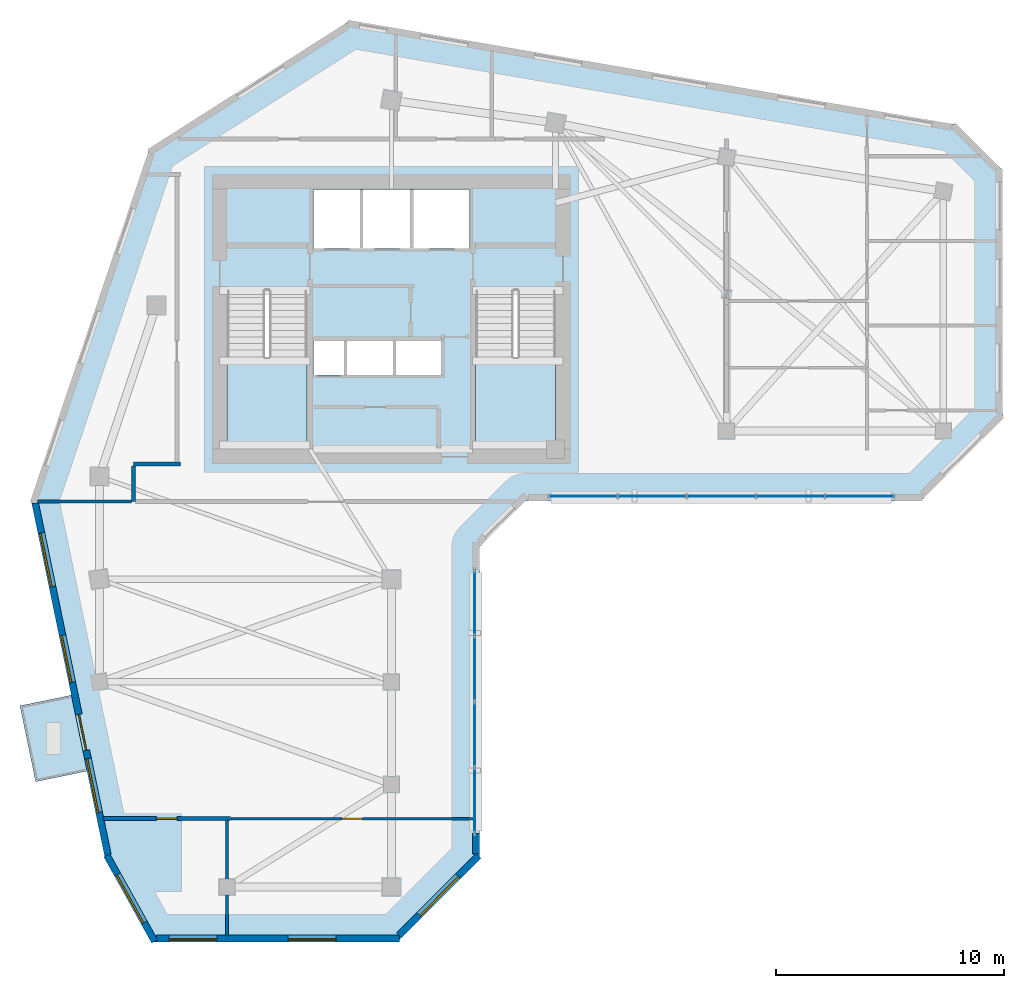
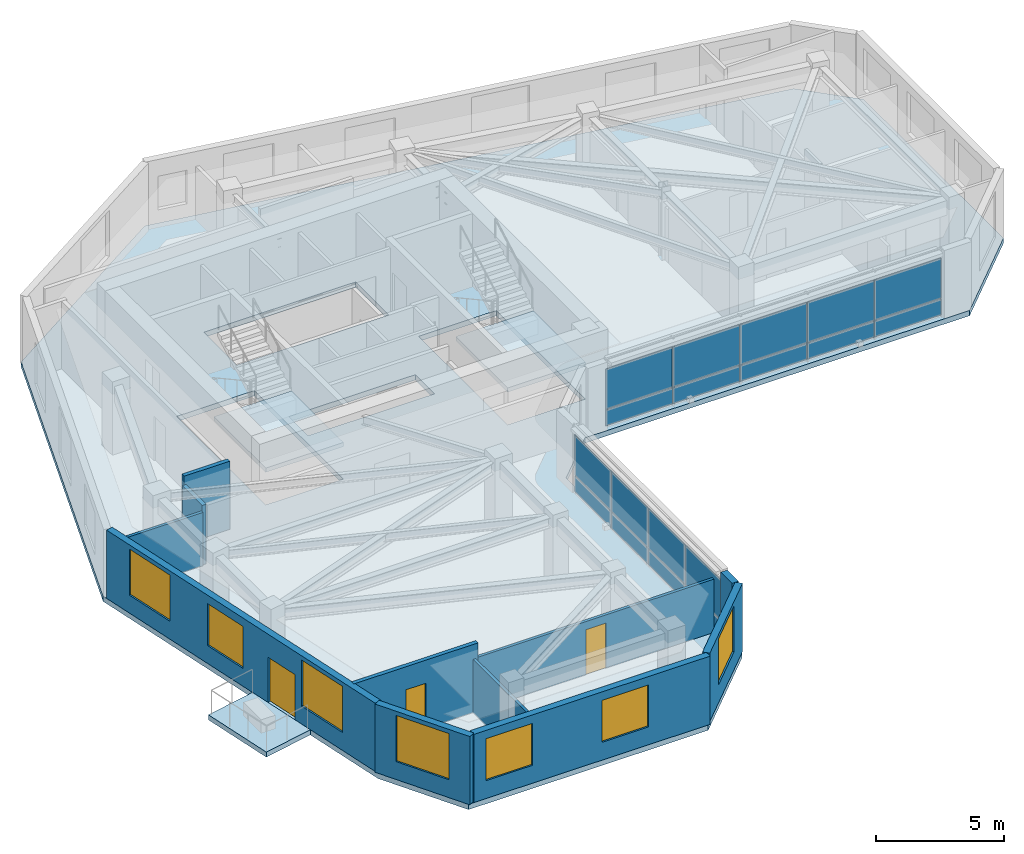
# One storey, part 4 of 10: 18 plates, 11 walls, 7 windows, 4 slabs, 3 doors, 10 openings, 4 elements without a shape of their own.
"""IFC4 building model written with IfcOpenShell, lengths in metres."""

from ifc_helpers import new_model, si_unit, direction, frame, frame_2d, origin, place, context, subcontext, project, spatial, polyline, rectangle, outline, extrude, source, transform, mapped, material, layer, layer_set, type_object, element, fill, aggregate, save


model = new_model("IFC4")

# Units and contexts
model_context = context("Model", 3, precision=1e-05, world=origin(), true_north=direction((0.0, 1.0)))
body_context = subcontext(model_context, "Body", "Model", "MODEL_VIEW")
ifc_project = project(units=[si_unit("LENGTHUNIT", "METRE"), si_unit("AREAUNIT", "SQUARE_METRE"), si_unit("VOLUMEUNIT", "CUBIC_METRE"), si_unit("PLANEANGLEUNIT", "RADIAN"), si_unit("MASSUNIT", "GRAM", prefix="KILO")], contexts=[model_context])

# Site, building, storey
site_placement = place(None, origin())
site = spatial("IfcSite", under=ifc_project, at=site_placement, CompositionType="ELEMENT")
building_placement = place(site_placement, origin())
building = spatial("IfcBuilding", under=site, at=building_placement, Name="Calvemar Wedge Station Tower", CompositionType="ELEMENT")
storey_placement = place(building_placement, frame((0.0, 0.0, 204.39990234375)))
storey = spatial("IfcBuildingStorey", under=building, at=storey_placement, Name="L51", CompositionType="ELEMENT", Elevation=204.39990234375)

# Curtain wall, plates
ifc_material_1 = material(Name="Anodised aluminium 6063-T6", Category="aluminium")
curtain_wall_type = type_object("IfcCurtainWallType", Name="CW3", PredefinedType="NOTDEFINED", material=ifc_material_1)
curtain_wall_1_placement = place(storey_placement, origin())
curtain_wall_1 = element("IfcCurtainWall", 1, at=curtain_wall_1_placement, inside=storey, type_object=curtain_wall_type, Name="Storey L51 CW3 Recessed Unitised Curtain Wall 4", PredefinedType="NOTDEFINED")
ifc_material_2 = material(Name="Low-E laminated insulated glass", Category="glass")
ifc_layer_1 = layer(ifc_material_2, 0.028076171875)
ifc_layer_set_1 = layer_set([ifc_layer_1], Name="Low-E laminated insulated glass")
plate_type_1 = type_object("IfcPlateType", Name="CW3-GLZ", PredefinedType="CURTAIN_PANEL", material=ifc_layer_set_1)
plate_1_placement = place(storey_placement, frame((27.4541015625, 17.380126953125, 0.8701171875), z_axis=(0.0, 0.0, 1.0), x_axis=(0.0, 1.0, 0.0)))
plate_1 = element("IfcPlate", 2, at=plate_1_placement, type_object=plate_type_1, Name="CW3 vision glass panel 1", PredefinedType="CURTAIN_PANEL", context=body_context, shape_type="SweptSolid", body=[
    extrude(rectangle(XDim=2.844970703125, YDim=0.028076171875, at=frame_2d((1.42236328125, 0.0))), origin(), (0.0, 0.0, 1.0), 1.909912109375),
])
plate_2_placement = place(storey_placement, frame((27.4541015625, 20.260986328125, 0.8701171875), z_axis=(0.0, 0.0, 1.0), x_axis=(0.0, 1.0, 0.0)))
plate_2 = element("IfcPlate", 3, at=plate_2_placement, type_object=plate_type_1, Name="CW3 vision glass panel 2", PredefinedType="CURTAIN_PANEL", context=body_context, shape_type="SweptSolid", body=[
    extrude(rectangle(XDim=2.84521484375, YDim=0.028076171875, at=frame_2d((1.422607421875, 0.0))), origin(), (0.0, 0.0, 1.0), 1.909912109375),
])
plate_3_placement = place(storey_placement, frame((27.4541015625, 23.14208984375, 0.8701171875), z_axis=(0.0, 0.0, 1.0), x_axis=(0.0, 1.0, 0.0)))
plate_3 = element("IfcPlate", 4, at=plate_3_placement, type_object=plate_type_1, Name="CW3 vision glass panel 3", PredefinedType="CURTAIN_PANEL", context=body_context, shape_type="SweptSolid", body=[
    extrude(rectangle(XDim=2.844970703125, YDim=0.028076171875, at=frame_2d((1.42236328125, 0.0))), origin(), (0.0, 0.0, 1.0), 1.909912109375),
])
plate_4_placement = place(storey_placement, frame((27.4541015625, 26.023193359375, 0.8701171875), z_axis=(0.0, 0.0, 1.0), x_axis=(0.0, 1.0, 0.0)))
plate_4 = element("IfcPlate", 5, at=plate_4_placement, type_object=plate_type_1, Name="CW3 vision glass panel 4", PredefinedType="CURTAIN_PANEL", context=body_context, shape_type="SweptSolid", body=[
    extrude(rectangle(XDim=2.844970703125, YDim=0.028076171875, at=frame_2d((1.42236328125, 0.0))), origin(), (0.0, 0.0, 1.0), 1.909912109375),
])

curtain_wall_2_placement = place(storey_placement, origin())
curtain_wall_2 = element("IfcCurtainWall", 6, at=curtain_wall_2_placement, inside=storey, type_object=curtain_wall_type, Name="Storey L51 CW3 Recessed Unitised Curtain Wall 6", PredefinedType="NOTDEFINED")
plate_5_placement = place(storey_placement, frame((30.719970703125, 32.134033203125, 0.8701171875), z_axis=(0.0, 0.0, 1.0), x_axis=(1.0, 0.0, 0.0)))
plate_5 = element("IfcPlate", 7, at=plate_5_placement, type_object=plate_type_1, Name="CW3 vision glass panel 1", PredefinedType="CURTAIN_PANEL", context=body_context, shape_type="SweptSolid", body=[
    extrude(rectangle(XDim=2.9912109375, YDim=0.028076171875, at=frame_2d((1.49560546875, 0.0))), origin(), (0.0, 0.0, 1.0), 1.909912109375),
])
plate_6_placement = place(storey_placement, frame((33.7470703125, 32.134033203125, 0.8701171875), z_axis=(0.0, 0.0, 1.0), x_axis=(1.0, 0.0, 0.0)))
plate_6 = element("IfcPlate", 8, at=plate_6_placement, type_object=plate_type_1, Name="CW3 vision glass panel 2", PredefinedType="CURTAIN_PANEL", context=body_context, shape_type="SweptSolid", body=[
    extrude(rectangle(XDim=2.9912109375, YDim=0.028076171875, at=frame_2d((1.49560546875, 0.0))), origin(), (0.0, 0.0, 1.0), 1.909912109375),
])
plate_7_placement = place(storey_placement, frame((36.7744140625, 32.134033203125, 0.8701171875), z_axis=(0.0, 0.0, 1.0), x_axis=(1.0, 0.0, 0.0)))
plate_7 = element("IfcPlate", 9, at=plate_7_placement, type_object=plate_type_1, Name="CW3 vision glass panel 3", PredefinedType="CURTAIN_PANEL", context=body_context, shape_type="SweptSolid", body=[
    extrude(rectangle(XDim=2.990966796875, YDim=0.028076171875, at=frame_2d((1.49560546875, 0.0))), origin(), (0.0, 0.0, 1.0), 1.909912109375),
])
plate_8_placement = place(storey_placement, frame((39.801513671875, 32.134033203125, 0.8701171875), z_axis=(0.0, 0.0, 1.0), x_axis=(1.0, 0.0, 0.0)))
plate_8 = element("IfcPlate", 10, at=plate_8_placement, type_object=plate_type_1, Name="CW3 vision glass panel 4", PredefinedType="CURTAIN_PANEL", context=body_context, shape_type="SweptSolid", body=[
    extrude(rectangle(XDim=2.9912109375, YDim=0.028076171875, at=frame_2d((1.49560546875, 0.0))), origin(), (0.0, 0.0, 1.0), 1.909912109375),
])
plate_9_placement = place(storey_placement, frame((42.82861328125, 32.134033203125, 0.8701171875), z_axis=(0.0, 0.0, 1.0), x_axis=(1.0, 0.0, 0.0)))
plate_9 = element("IfcPlate", 11, at=plate_9_placement, type_object=plate_type_1, Name="CW3 vision glass panel 5", PredefinedType="CURTAIN_PANEL", context=body_context, shape_type="SweptSolid", body=[
    extrude(rectangle(XDim=2.9912109375, YDim=0.028076171875, at=frame_2d((1.49560546875, 0.0))), origin(), (0.0, 0.0, 1.0), 1.909912109375),
])

# Plate
ifc_material_3 = material(Name="Oxidized bronze aluminium spandrel panel 5005-H24", Category="aluminium")
ifc_layer_2 = layer(ifc_material_3, 0.0400390625)
ifc_layer_set_2 = layer_set([ifc_layer_2], Name="Oxidized bronze aluminium spandrel panel 5005-H24")
plate_type_2 = type_object("IfcPlateType", Name="CW3-SPD", PredefinedType="SHEET", material=ifc_layer_set_2)
plate_10_placement = place(storey_placement, frame((27.4541015625, 17.380126953125, 0.080078125), z_axis=(0.0, 0.0, 1.0), x_axis=(0.0, 1.0, 0.0)))
plate_10 = element("IfcPlate", 12, at=plate_10_placement, type_object=plate_type_2, Name="CW3 bronze spandrel panel 1", PredefinedType="SHEET", context=body_context, shape_type="SweptSolid", body=[
    extrude(rectangle(XDim=2.844970703125, YDim=0.0400390625, at=frame_2d((1.42236328125, 0.0))), origin(), (0.0, 0.0, 1.0), 0.75),
])

plate_11_placement = place(storey_placement, frame((27.4541015625, 20.260986328125, 0.080078125), z_axis=(0.0, 0.0, 1.0), x_axis=(0.0, 1.0, 0.0)))
plate_11 = element("IfcPlate", 13, at=plate_11_placement, type_object=plate_type_2, Name="CW3 bronze spandrel panel 2", PredefinedType="SHEET", context=body_context, shape_type="SweptSolid", body=[
    extrude(rectangle(XDim=2.84521484375, YDim=0.0400390625, at=frame_2d((1.422607421875, 0.0))), origin(), (0.0, 0.0, 1.0), 0.75),
])

plate_12_placement = place(storey_placement, frame((27.4541015625, 23.14208984375, 0.080078125), z_axis=(0.0, 0.0, 1.0), x_axis=(0.0, 1.0, 0.0)))
plate_12 = element("IfcPlate", 14, at=plate_12_placement, type_object=plate_type_2, Name="CW3 bronze spandrel panel 3", PredefinedType="SHEET", context=body_context, shape_type="SweptSolid", body=[
    extrude(rectangle(XDim=2.844970703125, YDim=0.0400390625, at=frame_2d((1.42236328125, 0.0))), origin(), (0.0, 0.0, 1.0), 0.75),
])

plate_13_placement = place(storey_placement, frame((27.4541015625, 26.023193359375, 0.080078125), z_axis=(0.0, 0.0, 1.0), x_axis=(0.0, 1.0, 0.0)))
plate_13 = element("IfcPlate", 15, at=plate_13_placement, type_object=plate_type_2, Name="CW3 bronze spandrel panel 4", PredefinedType="SHEET", context=body_context, shape_type="SweptSolid", body=[
    extrude(rectangle(XDim=2.844970703125, YDim=0.0400390625, at=frame_2d((1.42236328125, 0.0))), origin(), (0.0, 0.0, 1.0), 0.75),
])

aggregate(curtain_wall_1, [plate_10, plate_1, plate_11, plate_2, plate_12, plate_3, plate_13, plate_4])

plate_14_placement = place(storey_placement, frame((30.719970703125, 32.134033203125, 0.080078125), z_axis=(0.0, 0.0, 1.0), x_axis=(1.0, 0.0, 0.0)))
plate_14 = element("IfcPlate", 16, at=plate_14_placement, type_object=plate_type_2, Name="CW3 bronze spandrel panel 1", PredefinedType="SHEET", context=body_context, shape_type="SweptSolid", body=[
    extrude(rectangle(XDim=2.9912109375, YDim=0.0400390625, at=frame_2d((1.49560546875, 0.0))), origin(), (0.0, 0.0, 1.0), 0.75),
])

plate_15_placement = place(storey_placement, frame((33.7470703125, 32.134033203125, 0.080078125), z_axis=(0.0, 0.0, 1.0), x_axis=(1.0, 0.0, 0.0)))
plate_15 = element("IfcPlate", 17, at=plate_15_placement, type_object=plate_type_2, Name="CW3 bronze spandrel panel 2", PredefinedType="SHEET", context=body_context, shape_type="SweptSolid", body=[
    extrude(rectangle(XDim=2.9912109375, YDim=0.0400390625, at=frame_2d((1.49560546875, 0.0))), origin(), (0.0, 0.0, 1.0), 0.75),
])

plate_16_placement = place(storey_placement, frame((36.7744140625, 32.134033203125, 0.080078125), z_axis=(0.0, 0.0, 1.0), x_axis=(1.0, 0.0, 0.0)))
plate_16 = element("IfcPlate", 18, at=plate_16_placement, type_object=plate_type_2, Name="CW3 bronze spandrel panel 3", PredefinedType="SHEET", context=body_context, shape_type="SweptSolid", body=[
    extrude(rectangle(XDim=2.990966796875, YDim=0.0400390625, at=frame_2d((1.49560546875, 0.0))), origin(), (0.0, 0.0, 1.0), 0.75),
])

plate_17_placement = place(storey_placement, frame((39.801513671875, 32.134033203125, 0.080078125), z_axis=(0.0, 0.0, 1.0), x_axis=(1.0, 0.0, 0.0)))
plate_17 = element("IfcPlate", 19, at=plate_17_placement, type_object=plate_type_2, Name="CW3 bronze spandrel panel 4", PredefinedType="SHEET", context=body_context, shape_type="SweptSolid", body=[
    extrude(rectangle(XDim=2.9912109375, YDim=0.0400390625, at=frame_2d((1.49560546875, 0.0))), origin(), (0.0, 0.0, 1.0), 0.75),
])

plate_18_placement = place(storey_placement, frame((42.82861328125, 32.134033203125, 0.080078125), z_axis=(0.0, 0.0, 1.0), x_axis=(1.0, 0.0, 0.0)))
plate_18 = element("IfcPlate", 20, at=plate_18_placement, type_object=plate_type_2, Name="CW3 bronze spandrel panel 5", PredefinedType="SHEET", context=body_context, shape_type="SweptSolid", body=[
    extrude(rectangle(XDim=2.9912109375, YDim=0.0400390625, at=frame_2d((1.49560546875, 0.0))), origin(), (0.0, 0.0, 1.0), 0.75),
])

aggregate(curtain_wall_2, [plate_14, plate_5, plate_15, plate_6, plate_16, plate_7, plate_17, plate_8, plate_18, plate_9])

# Stair, slab
ifc_material_4 = material(Name="Concrete C45", Category="concrete")
stair_type = type_object("IfcStairType", Name="ST-TYPE-3500", PredefinedType="HALF_TURN_STAIR", material=ifc_material_4)
stair_1_placement = place(storey_placement, origin())
stair_1 = element("IfcStair", 21, at=stair_1_placement, inside=storey, type_object=stair_type, Name="L51 Pressurized Core Exit Stair ST-C1", PredefinedType="HALF_TURN_STAIR")
ifc_layer_3 = layer(ifc_material_4, 0.199951171875)
ifc_layer_set_3 = layer_set([ifc_layer_3], Name="Concrete C45")
slab_type_1 = type_object("IfcSlabType", Name="SL-STAIR-LND-200", PredefinedType="LANDING", material=ifc_layer_set_3)
slab_1_placement = place(storey_placement, frame((0.0, 0.0, 1.550048828125)))
slab_1 = element("IfcSlab", 22, at=slab_1_placement, type_object=slab_type_1, Name="ST-C1 landing 1", PredefinedType="LANDING", context=body_context, shape_type="SweptSolid", body=[
    extrude(outline(polyline([(16.60009765625, 38.25), (16.60009765625, 34.199951171875), (20.10009765625, 34.199951171875), (20.10009765625, 38.25), (16.60009765625, 38.25)])), origin(), (0.0, 0.0, 1.0), 0.199951171875),
])
aggregate(stair_1, [slab_1])

stair_2_placement = place(storey_placement, origin())
stair_2 = element("IfcStair", 23, at=stair_2_placement, inside=storey, type_object=stair_type, Name="L51 Pressurized Core Exit Stair ST-C2", PredefinedType="HALF_TURN_STAIR")
slab_2_placement = place(storey_placement, frame((0.0, 0.0, 1.550048828125)))
slab_2 = element("IfcSlab", 24, at=slab_2_placement, type_object=slab_type_1, Name="ST-C2 landing 1", PredefinedType="LANDING", context=body_context, shape_type="SweptSolid", body=[
    extrude(outline(polyline([(27.5, 38.25), (27.5, 34.199951171875), (31.0, 34.199951171875), (31.0, 38.25), (27.5, 38.25)])), origin(), (0.0, 0.0, 1.0), 0.199951171875),
])
aggregate(stair_2, [slab_2])

# Slabs
ifc_layer_4 = layer(ifc_material_4, 0.239990234375)
ifc_layer_set_4 = layer_set([ifc_layer_4], Name="Concrete C45")
slab_type_2 = type_object("IfcSlabType", Name="SL-TERR-240", PredefinedType="FLOOR", material=ifc_layer_set_4)
slab_3_placement = place(storey_placement, frame((0.0, 0.0, -0.239990234375)))
element("IfcSlab", 25, at=slab_3_placement, inside=storey, type_object=slab_type_2, Name="Storey L51 Planted Spiral Terrace Slab", PredefinedType="FLOOR", context=body_context, shape_type="SweptSolid", body=[
    extrude(outline(polyline([(9.77392578125, 23.4150390625), (7.52197265625, 22.949951171875), (8.208984375, 19.6201171875), (10.4609375, 20.0849609375), (9.77392578125, 23.4150390625)])), origin(), (0.0, 0.0, 1.0), 0.239990234375),
])
ifc_material_5 = material(Name="Concrete C50", Category="concrete")
ifc_layer_5 = layer(ifc_material_5, 0.25)
ifc_layer_set_5 = layer_set([ifc_layer_5], Name="Concrete C50")
slab_type_3 = type_object("IfcSlabType", Name="SL-TYP-250", PredefinedType="FLOOR", material=ifc_layer_set_5)
slab_4_placement = place(storey_placement, frame((0.0, 0.0, -0.25)))
element("IfcSlab", 26, at=slab_4_placement, inside=storey, type_object=slab_type_3, Name="Storey L51 Structural Floor Slab", PredefinedType="FLOOR", context=body_context, shape_type="SweptSolid", body=[
    extrude(outline(polyline([(8.0, 32.0), (11.263916015625, 16.199951171875), (13.263916015625, 12.60009765625), (24.06396484375, 12.60009765625), (27.6640625, 16.199951171875), (27.6640625, 29.924072265625), (29.6640625, 31.924072265625), (47.0, 31.924072265625), (50.60009765625, 35.52392578125), (50.60009765625, 46.424072265625), (48.60009765625, 48.424072265625), (22.0, 53.0), (13.199951171875, 47.39990234375), (8.0, 32.0)]), holes=[polyline([(20.10009765625, 34.199951171875), (20.10009765625, 41.14990234375), (16.60009765625, 41.14990234375), (16.60009765625, 34.199951171875), (20.10009765625, 34.199951171875)]), polyline([(27.5, 34.199951171875), (31.0, 34.199951171875), (31.0, 41.14990234375), (27.5, 41.14990234375), (27.5, 34.199951171875)]), polyline([(21.800048828125, 37.449951171875), (23.929931640625, 37.449951171875), (23.93994140625, 37.449951171875), (26.080078125, 37.449951171875), (26.080078125, 38.949951171875), (23.93994140625, 38.949951171875), (23.929931640625, 38.949951171875), (21.800048828125, 38.949951171875), (21.7900390625, 38.949951171875), (20.3798828125, 38.949951171875), (20.3798828125, 37.449951171875), (21.7900390625, 37.449951171875), (21.800048828125, 37.449951171875)]), polyline([(27.219970703125, 43.0), (27.219970703125, 45.580078125), (20.3798828125, 45.580078125), (20.3798828125, 43.0), (27.219970703125, 43.0)])]), origin(), (0.0, 0.0, 1.0), 0.25),
])

# Walls
ifc_material_6 = material(Name="Double-stud fire-rated corridor partition")
ifc_layer_6 = layer(ifc_material_6, 0.179931640625)
ifc_layer_set_6 = layer_set([ifc_layer_6], Name="Double-stud fire-rated corridor partition")
wall_type_1 = type_object("IfcWallType", Name="W-CORR-180", PredefinedType="PARTITIONING", material=ifc_layer_set_6)
wall_1_placement = place(storey_placement, frame((12.5, 33.550048828125, 0.0), z_axis=(0.0, 0.0, 1.0), x_axis=(1.0, 0.0, 0.0)))
element("IfcWall", 27, at=wall_1_placement, inside=storey, type_object=wall_type_1, Name="Storey L51 Interior Partition WL-L51-006", PredefinedType="PARTITIONING", context=body_context, shape_type="SweptSolid", body=[
    extrude(rectangle(XDim=2.06005859375, YDim=0.179931640625, at=frame_2d((1.030029296875, 0.0))), origin(), (0.0, 0.0, 1.0), 3.25),
])
wall_2_placement = place(storey_placement, frame((12.5, 31.89990234375, 0.0), z_axis=(0.0, 0.0, 1.0), x_axis=(0.0, 1.0, 0.0)))
element("IfcWall", 28, at=wall_2_placement, inside=storey, type_object=wall_type_1, Name="Storey L51 Interior Partition WL-L51-007", PredefinedType="PARTITIONING", context=body_context, shape_type="SweptSolid", body=[
    extrude(rectangle(XDim=1.55615234375, YDim=0.179931640625, at=frame_2d((0.778076171875, 0.0))), origin(), (0.0, 0.0, 1.0), 2.835205078125),
])

# Wall, opening, door
wall_3_placement = place(storey_placement, frame((16.760009765625, 18.0, 0.0), z_axis=(0.0, 0.0, 1.0), x_axis=(-1.0, 0.0, 0.0)))
wall_3 = element("IfcWall", 29, at=wall_3_placement, inside=storey, type_object=wall_type_1, Name="Storey L51 Interior Partition WL-L51-033", PredefinedType="PARTITIONING", context=body_context, shape_type="SweptSolid", body=[
    extrude(rectangle(XDim=5.597412109375, YDim=0.179931640625, at=frame_2d((2.798828125, 0.0))), origin(), (0.0, 0.0, 1.0), 3.25),
])
shared_shape_1 = source(origin(), body_context, "Body", "SweptSolid", [
    extrude(rectangle(XDim=0.89990234375, YDim=2.14990234375, at=frame_2d((0.449951171875, 1.074951171875))), frame((0.0, 0.10009765625, 0.0), z_axis=(0.0, -1.0, 0.0), x_axis=(1.0, 0.0, 0.0)), (0.0, 0.0, 1.0), 0.199951171875),
])
opening_1_placement = place(wall_3_placement, frame((2.3486328125, 0.0, 0.0)))
opening_1 = element("IfcOpeningElement", 30, at=opening_1_placement, cuts=wall_3, Name="Opening FD-60", PredefinedType="OPENING", context=body_context, shape_type="MappedRepresentation", body=[
    mapped(shared_shape_1, transform((0.0, 0.0, 0.0), scale=1.0)),
])
ifc_material_7 = material(Name="Fire-rated acoustic timber-core entrance door EI 60", Category="wood")
door_type_1 = type_object("IfcDoorType", Name="DR-FD60-900", OperationType="NOTDEFINED", PredefinedType="DOOR", material=ifc_material_7)
shared_shape_2 = source(origin(), body_context, "Body", "SweptSolid", [
    extrude(rectangle(XDim=0.89990234375, YDim=2.14990234375, at=frame_2d((0.449951171875, 1.074951171875))), frame((0.0, 0.02490234375, 0.0), z_axis=(0.0, -1.0, 0.0), x_axis=(1.0, 0.0, 0.0)), (0.0, 0.0, 1.0), 0.050048828125),
])
door_1_placement = place(opening_1_placement, origin())
door_1 = element("IfcDoor", 31, at=door_1_placement, inside=storey, type_object=door_type_1, Name="L51 Communal Banquet Kitchen Door", OperationType="SINGLE_SWING_LEFT", OverallHeight=2.14990234375, OverallWidth=0.89990234375, PredefinedType="DOOR", context=body_context, shape_type="MappedRepresentation", body=[
    mapped(shared_shape_2, transform((0.0, 0.0, 0.0), scale=1.0)),
])
fill(opening_1, door_1)

# Wall, opening, window
ifc_material_8 = material(Name="Precast concrete C45", Category="concrete")
ifc_layer_7 = layer(ifc_material_8, 0.300048828125)
ifc_layer_set_7 = layer_set([ifc_layer_7], Name="Precast concrete C45")
wall_type_2 = type_object("IfcWallType", Name="W-EXT-GFRC-300", PredefinedType="SOLIDWALL", material=ifc_layer_set_7)
wall_4_placement = place(storey_placement, frame((11.33349609375, 16.3837890625, 0.0), z_axis=(0.0, 0.0, 1.0), x_axis=(0.485633305139, -0.874162623852, 0.0)))
wall_4 = element("IfcWall", 32, at=wall_4_placement, inside=storey, type_object=wall_type_2, Name="Storey L51 Bronze GFRC Exterior Wall 1", PredefinedType="SOLIDWALL", context=body_context, shape_type="SweptSolid", body=[
    extrude(rectangle(XDim=4.306884765625, YDim=0.300048828125, at=frame_2d((2.1533203125, 0.0))), origin(), (0.0, 0.0, 1.0), 3.25),
])
shared_shape_3 = source(origin(), body_context, "Body", "SweptSolid", [
    extrude(rectangle(XDim=2.39990234375, YDim=2.199951171875, at=frame_2d((1.199951171875, 1.10009765625))), frame((0.0, 0.16015625, 0.0), z_axis=(0.0, -1.0, 0.0), x_axis=(1.0, 0.0, 0.0)), (0.0, 0.0, 1.0), 0.320068359375),
])
opening_2_placement = place(wall_4_placement, frame((0.9541015625, 0.0, 0.85009765625)))
opening_2 = element("IfcOpeningElement", 33, at=opening_2_placement, cuts=wall_4, Name="Opening W1", PredefinedType="OPENING", context=body_context, shape_type="MappedRepresentation", body=[
    mapped(shared_shape_3, transform((0.0, 0.0, 0.0), scale=1.0)),
])
window_type_1 = type_object("IfcWindowType", Name="WIN-EXT-1", PartitioningType="SINGLE_PANEL", PredefinedType="WINDOW", material=ifc_material_2)
shared_shape_4 = source(origin(), body_context, "Body", "SweptSolid", [
    extrude(rectangle(XDim=2.39990234375, YDim=2.199951171875, at=frame_2d((1.199951171875, 1.10009765625))), frame((0.0, -0.014892578125, 0.0), z_axis=(0.0, -1.0, 0.0), x_axis=(1.0, 0.0, 0.0)), (0.0, 0.0, 1.0), 0.06005859375),
])
window_1_placement = place(opening_2_placement, origin())
window_1 = element("IfcWindow", 34, at=window_1_placement, inside=storey, type_object=window_type_1, Name="Storey L51 Recessed Window 1.1", OverallHeight=2.199951171875, OverallWidth=2.39990234375, PartitioningType="SINGLE_PANEL", PredefinedType="WINDOW", context=body_context, shape_type="MappedRepresentation", body=[
    mapped(shared_shape_4, transform((0.0, 0.0, 0.0), scale=1.0)),
])
fill(opening_2, window_1)

# Wall, openings, windows
wall_5_placement = place(storey_placement, frame((13.510009765625, 12.75, 0.0), z_axis=(0.0, 0.0, 1.0), x_axis=(1.0, 0.0, 0.0)))
wall_5 = element("IfcWall", 35, at=wall_5_placement, inside=storey, type_object=wall_type_2, Name="Storey L51 Bronze GFRC Exterior Wall 2", PredefinedType="SOLIDWALL", context=body_context, shape_type="SweptSolid", body=[
    extrude(rectangle(XDim=10.641845703125, YDim=0.300048828125, at=frame_2d((5.32080078125, 0.0))), origin(), (0.0, 0.0, 1.0), 3.25),
])
shared_shape_5 = source(origin(), body_context, "Body", "SweptSolid", [
    extrude(rectangle(XDim=2.10009765625, YDim=2.0, at=frame_2d((1.050048828125, 1.0))), frame((0.0, 0.16015625, 0.0), z_axis=(0.0, -1.0, 0.0), x_axis=(1.0, 0.0, 0.0)), (0.0, 0.0, 1.0), 0.320068359375),
])
opening_3_placement = place(wall_5_placement, frame((0.544921875, 0.0, 0.85009765625)))
opening_3 = element("IfcOpeningElement", 36, at=opening_3_placement, cuts=wall_5, Name="Opening W4", PredefinedType="OPENING", context=body_context, shape_type="MappedRepresentation", body=[
    mapped(shared_shape_5, transform((0.0, 0.0, 0.0), scale=1.0)),
])
opening_4_placement = place(wall_5_placement, frame((5.76611328125, 0.0, 0.85009765625)))
opening_4 = element("IfcOpeningElement", 37, at=opening_4_placement, cuts=wall_5, Name="Opening W4", PredefinedType="OPENING", context=body_context, shape_type="MappedRepresentation", body=[
    mapped(shared_shape_5, transform((0.0, 0.0, 0.0), scale=1.0)),
])
window_type_2 = type_object("IfcWindowType", Name="WIN-EXT-4", PartitioningType="SINGLE_PANEL", PredefinedType="WINDOW", material=ifc_material_2)
shared_shape_6 = source(origin(), body_context, "Body", "SweptSolid", [
    extrude(rectangle(XDim=2.10009765625, YDim=2.0, at=frame_2d((1.050048828125, 1.0))), frame((0.0, -0.014892578125, 0.0), z_axis=(0.0, -1.0, 0.0), x_axis=(1.0, 0.0, 0.0)), (0.0, 0.0, 1.0), 0.06005859375),
])
window_2_placement = place(opening_3_placement, origin())
window_2 = element("IfcWindow", 38, at=window_2_placement, inside=storey, type_object=window_type_2, Name="Storey L51 Recessed Window 2.1", OverallHeight=2.0, OverallWidth=2.10009765625, PartitioningType="SINGLE_PANEL", PredefinedType="WINDOW", context=body_context, shape_type="MappedRepresentation", body=[
    mapped(shared_shape_6, transform((0.0, 0.0, 0.0), scale=1.0)),
])
fill(opening_3, window_2)
window_3_placement = place(opening_4_placement, origin())
window_3 = element("IfcWindow", 39, at=window_3_placement, inside=storey, type_object=window_type_2, Name="Storey L51 Recessed Window 2.2", OverallHeight=2.0, OverallWidth=2.10009765625, PartitioningType="SINGLE_PANEL", PredefinedType="WINDOW", context=body_context, shape_type="MappedRepresentation", body=[
    mapped(shared_shape_6, transform((0.0, 0.0, 0.0), scale=1.0)),
])
fill(opening_4, window_3)

# Wall, opening, window
wall_6_placement = place(storey_placement, frame((24.139892578125, 12.887939453125, 0.0), z_axis=(0.0, 0.0, 1.0), x_axis=(0.707106781187, 0.707106781187, 0.0)))
wall_6 = element("IfcWall", 40, at=wall_6_placement, inside=storey, type_object=wall_type_2, Name="Storey L51 Bronze GFRC Exterior Wall 3", PredefinedType="SOLIDWALL", context=body_context, shape_type="SweptSolid", body=[
    extrude(rectangle(XDim=4.921875, YDim=0.300048828125, at=frame_2d((2.4609375, 0.0))), origin(), (0.0, 0.0, 1.0), 3.25),
])
opening_5_placement = place(wall_6_placement, frame((1.260986328125, 0.0, 0.85009765625)))
opening_5 = element("IfcOpeningElement", 41, at=opening_5_placement, cuts=wall_6, Name="Opening W1", PredefinedType="OPENING", context=body_context, shape_type="MappedRepresentation", body=[
    mapped(shared_shape_3, transform((0.0, 0.0, 0.0), scale=1.0)),
])
window_4_placement = place(opening_5_placement, origin())
window_4 = element("IfcWindow", 42, at=window_4_placement, inside=storey, type_object=window_type_1, Name="Storey L51 Recessed Window 3.1", OverallHeight=2.199951171875, OverallWidth=2.39990234375, PartitioningType="SINGLE_PANEL", PredefinedType="WINDOW", context=body_context, shape_type="MappedRepresentation", body=[
    mapped(shared_shape_4, transform((0.0, 0.0, 0.0), scale=1.0)),
])
fill(opening_5, window_4)

# Wall
wall_7_placement = place(storey_placement, frame((27.513916015625, 16.457275390625, 0.0), z_axis=(0.0, 0.0, 1.0), x_axis=(0.0, 1.0, 0.0)))
element("IfcWall", 43, at=wall_7_placement, inside=storey, type_object=wall_type_2, Name="Storey L51 Bronze GFRC Corner Pier 4A", PredefinedType="SOLIDWALL", context=body_context, shape_type="SweptSolid", body=[
    extrude(rectangle(XDim=0.88232421875, YDim=0.300048828125, at=frame_2d((0.441162109375, 0.0))), origin(), (0.0, 0.0, 1.0), 3.25),
])

# Wall, openings, windows, door
wall_8_placement = place(storey_placement, frame((8.1875, 31.833984375, 0.0), z_axis=(0.0, 0.0, 1.0), x_axis=(0.202303475707, -0.979322880217, 0.0)))
wall_8 = element("IfcWall", 44, at=wall_8_placement, inside=storey, type_object=wall_type_2, Name="Storey L51 Bronze GFRC Exterior Wall 13", PredefinedType="SOLIDWALL", context=body_context, shape_type="SweptSolid", body=[
    extrude(rectangle(XDim=15.765625, YDim=0.300048828125, at=frame_2d((7.8828125, 0.0))), origin(), (0.0, 0.0, 1.0), 3.25),
])
shared_shape_7 = source(origin(), body_context, "Body", "SweptSolid", [
    extrude(rectangle(XDim=1.60009765625, YDim=2.14990234375, at=frame_2d((0.800048828125, 1.074951171875))), frame((0.0, 0.16015625, 0.0), z_axis=(0.0, -1.0, 0.0), x_axis=(1.0, 0.0, 0.0)), (0.0, 0.0, 1.0), 0.320068359375),
])
opening_6_placement = place(wall_8_placement, frame((9.466064453125, 0.0, 0.0)))
opening_6 = element("IfcOpeningElement", 45, at=opening_6_placement, cuts=wall_8, Name="Opening DT1", PredefinedType="OPENING", context=body_context, shape_type="MappedRepresentation", body=[
    mapped(shared_shape_7, transform((0.0, 0.0, 0.0), scale=1.0)),
])
opening_7_placement = place(wall_8_placement, frame((1.3369140625, 0.0, 0.85009765625)))
opening_7 = element("IfcOpeningElement", 46, at=opening_7_placement, cuts=wall_8, Name="Opening W1", PredefinedType="OPENING", context=body_context, shape_type="MappedRepresentation", body=[
    mapped(shared_shape_3, transform((0.0, 0.0, 0.0), scale=1.0)),
])
opening_8_placement = place(wall_8_placement, frame((5.919921875, 0.0, 0.85009765625)))
opening_8 = element("IfcOpeningElement", 47, at=opening_8_placement, cuts=wall_8, Name="Opening W4", PredefinedType="OPENING", context=body_context, shape_type="MappedRepresentation", body=[
    mapped(shared_shape_5, transform((0.0, 0.0, 0.0), scale=1.0)),
])
opening_9_placement = place(wall_8_placement, frame((11.43798828125, 0.0, 0.85009765625)))
opening_9 = element("IfcOpeningElement", 48, at=opening_9_placement, cuts=wall_8, Name="Opening W1", PredefinedType="OPENING", context=body_context, shape_type="MappedRepresentation", body=[
    mapped(shared_shape_3, transform((0.0, 0.0, 0.0), scale=1.0)),
])
window_5_placement = place(opening_8_placement, origin())
window_5 = element("IfcWindow", 49, at=window_5_placement, inside=storey, type_object=window_type_2, Name="Storey L51 Recessed Window 13.2", OverallHeight=2.0, OverallWidth=2.10009765625, PartitioningType="SINGLE_PANEL", PredefinedType="WINDOW", context=body_context, shape_type="MappedRepresentation", body=[
    mapped(shared_shape_6, transform((0.0, 0.0, 0.0), scale=1.0)),
])
fill(opening_8, window_5)
window_6_placement = place(opening_7_placement, origin())
window_6 = element("IfcWindow", 50, at=window_6_placement, inside=storey, type_object=window_type_1, Name="Storey L51 Recessed Window 13.1", OverallHeight=2.199951171875, OverallWidth=2.39990234375, PartitioningType="SINGLE_PANEL", PredefinedType="WINDOW", context=body_context, shape_type="MappedRepresentation", body=[
    mapped(shared_shape_4, transform((0.0, 0.0, 0.0), scale=1.0)),
])
fill(opening_7, window_6)
window_7_placement = place(opening_9_placement, origin())
window_7 = element("IfcWindow", 51, at=window_7_placement, inside=storey, type_object=window_type_1, Name="Storey L51 Recessed Window 13.3", OverallHeight=2.199951171875, OverallWidth=2.39990234375, PartitioningType="SINGLE_PANEL", PredefinedType="WINDOW", context=body_context, shape_type="MappedRepresentation", body=[
    mapped(shared_shape_4, transform((0.0, 0.0, 0.0), scale=1.0)),
])
fill(opening_9, window_7)
door_type_2 = type_object("IfcDoorType", Name="DR-TERR-1600", OperationType="DOUBLE_DOOR_SLIDING", PredefinedType="DOOR", material=ifc_material_1)
shared_shape_8 = source(origin(), body_context, "Body", "SweptSolid", [
    extrude(rectangle(XDim=1.60009765625, YDim=2.14990234375, at=frame_2d((0.800048828125, 1.074951171875))), frame((0.0, 0.02490234375, 0.0), z_axis=(0.0, -1.0, 0.0), x_axis=(1.0, 0.0, 0.0)), (0.0, 0.0, 1.0), 0.050048828125),
])
door_2_placement = place(opening_6_placement, origin())
door_2 = element("IfcDoor", 52, at=door_2_placement, inside=storey, type_object=door_type_2, Name="Storey L51 Spiral Terrace Door", OperationType="DOUBLE_DOOR_SLIDING", OverallHeight=2.14990234375, OverallWidth=1.60009765625, PredefinedType="DOOR", context=body_context, shape_type="MappedRepresentation", body=[
    mapped(shared_shape_8, transform((0.0, 0.0, 0.0), scale=1.0)),
])
fill(opening_6, door_2)

# Wall
ifc_material_9 = material(Name="Insulated acoustic gypsum stud partition")
ifc_layer_8 = layer(ifc_material_9, 0.125)
ifc_layer_set_8 = layer_set([ifc_layer_8], Name="Insulated acoustic gypsum stud partition")
wall_type_3 = type_object("IfcWallType", Name="W-PART-125", PredefinedType="PARTITIONING", material=ifc_layer_set_8)
wall_9_placement = place(storey_placement, frame((12.406005859375, 31.89990234375, 0.0), z_axis=(0.0, 0.0, 1.0), x_axis=(-1.0, 0.0, 0.0)))
element("IfcWall", 53, at=wall_9_placement, inside=storey, type_object=wall_type_3, Name="Storey L51 Interior Partition WL-L51-014", PredefinedType="PARTITIONING", context=body_context, shape_type="SweptSolid", body=[
    extrude(rectangle(XDim=4.11474609375, YDim=0.125, at=frame_2d((2.057373046875, 0.0))), origin(), (0.0, 0.0, 1.0), 2.5419921875),
])

# Wall, opening, door
wall_10_placement = place(storey_placement, frame((27.39892578125, 18.0, 0.0), z_axis=(0.0, 0.0, 1.0), x_axis=(-1.0, 0.0, 0.0)))
wall_10 = element("IfcWall", 54, at=wall_10_placement, inside=storey, type_object=wall_type_3, Name="Storey L51 Interior Partition WL-L51-034", PredefinedType="PARTITIONING", context=body_context, shape_type="SweptSolid", body=[
    extrude(rectangle(XDim=10.636962890625, YDim=0.125, at=frame_2d((5.318359375, 0.0))), origin(), (0.0, 0.0, 1.0), 2.5419921875),
])
shared_shape_9 = source(origin(), body_context, "Body", "SweptSolid", [
    extrude(rectangle(XDim=0.89990234375, YDim=2.14990234375, at=frame_2d((0.449951171875, 1.074951171875))), frame((0.0, 0.072509765625, 0.0), z_axis=(0.0, -1.0, 0.0), x_axis=(1.0, 0.0, 0.0)), (0.0, 0.0, 1.0), 0.14501953125),
])
opening_10_placement = place(wall_10_placement, frame((4.868408203125, 0.0, 0.0)))
opening_10 = element("IfcOpeningElement", 55, at=opening_10_placement, cuts=wall_10, Name="Opening D-01", PredefinedType="OPENING", context=body_context, shape_type="MappedRepresentation", body=[
    mapped(shared_shape_9, transform((0.0, 0.0, 0.0), scale=1.0)),
])
ifc_material_10 = material(Name="Architectural hardwood acoustic swing door", Category="wood")
door_type_3 = type_object("IfcDoorType", Name="DR-INT-900", OperationType="NOTDEFINED", PredefinedType="DOOR", material=ifc_material_10)
shared_shape_10 = source(origin(), body_context, "Body", "SweptSolid", [
    extrude(rectangle(XDim=0.89990234375, YDim=2.14990234375, at=frame_2d((0.449951171875, 1.074951171875))), frame((0.0, 0.02490234375, 0.0), z_axis=(0.0, -1.0, 0.0), x_axis=(1.0, 0.0, 0.0)), (0.0, 0.0, 1.0), 0.050048828125),
])
door_3_placement = place(opening_10_placement, origin())
door_3 = element("IfcDoor", 56, at=door_3_placement, inside=storey, type_object=door_type_3, Name="L51 Resident Screening Salon Door", OperationType="SINGLE_SWING_RIGHT", OverallHeight=2.14990234375, OverallWidth=0.89990234375, PredefinedType="DOOR", context=body_context, shape_type="MappedRepresentation", body=[
    mapped(shared_shape_10, transform((0.0, 0.0, 0.0), scale=1.0)),
])
fill(opening_10, door_3)

# Wall
wall_11_placement = place(storey_placement, frame((16.60009765625, 17.93359375, 0.0), z_axis=(0.0, 0.0, 1.0), x_axis=(0.0, -1.0, 0.0)))
element("IfcWall", 57, at=wall_11_placement, inside=storey, type_object=wall_type_3, Name="Storey L51 Interior Partition WL-L51-035", PredefinedType="PARTITIONING", context=body_context, shape_type="SweptSolid", body=[
    extrude(rectangle(XDim=5.068603515625, YDim=0.125, at=frame_2d((2.5341796875, 0.0))), origin(), (0.0, 0.0, 1.0), 2.5419921875),
])

save(model, "model.ifc")
